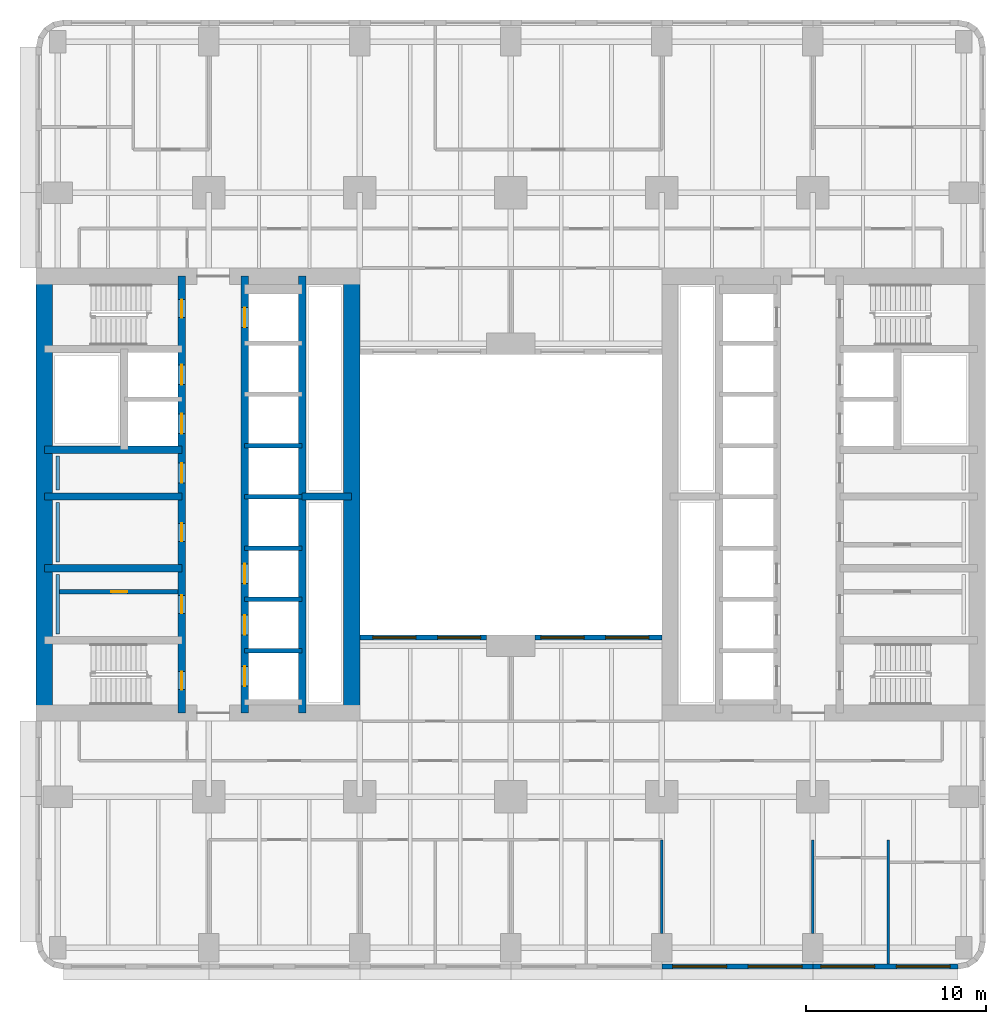
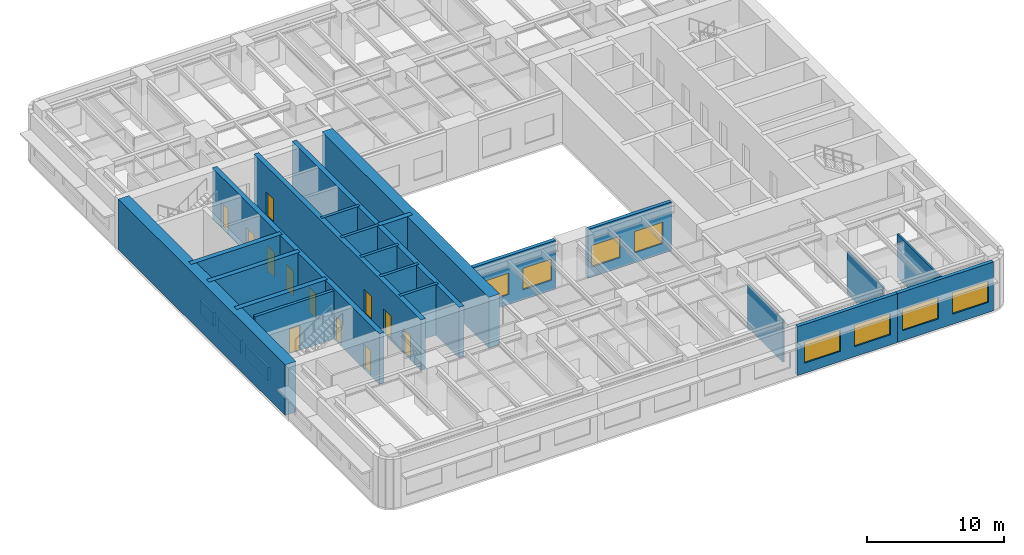
# One storey, part 4 of 14: 25 walls, 12 doors, 8 windows, 20 openings.
"""IFC4 building model written with IfcOpenShell, lengths in metres."""

from ifc_helpers import new_model, si_unit, direction, frame, frame_2d, origin, place, context, subcontext, project, spatial, rectangle, extrude, material, layer, layer_set, type_object, element, fill, save


model = new_model("IFC4")

# Units and contexts
model_context = context("Model", 3, precision=1e-05, world=origin(), true_north=direction((0.0, 1.0)))
body_context = subcontext(model_context, "Body", "Model", "MODEL_VIEW")
ifc_project = project(units=[si_unit("LENGTHUNIT", "METRE"), si_unit("AREAUNIT", "SQUARE_METRE"), si_unit("VOLUMEUNIT", "CUBIC_METRE"), si_unit("PLANEANGLEUNIT", "RADIAN"), si_unit("MASSUNIT", "GRAM", prefix="KILO")], contexts=[model_context])

# Site, building, storey
site_placement = place(None, origin())
site = spatial("IfcSite", under=ifc_project, at=site_placement, CompositionType="ELEMENT")
building_placement = place(site_placement, origin())
building = spatial("IfcBuilding", under=site, at=building_placement, Name="Claustro Exchange Tower", CompositionType="ELEMENT")
storey_placement = place(building_placement, frame((0.0, 0.0, 54.89990234375)))
storey = spatial("IfcBuildingStorey", under=building, at=storey_placement, Name="L12", CompositionType="ELEMENT", Elevation=54.89990234375)

# Walls
ifc_material_1 = material(Name="Gypsum board on steel studs", Category="steel")
ifc_layer_1 = layer(ifc_material_1, 0.14990234375)
ifc_layer_set_1 = layer_set([ifc_layer_1], Name="Gypsum board on steel studs")
wall_type_1 = type_object("IfcWallType", Name="P1 150 plasterboard partition", PredefinedType="PARTITIONING", material=ifc_layer_set_1)
for number, where, z_axis, x_axis, name in (
    (1, (33.60009765625, 0.799072265625, 0.0), (0.0, 0.0, 1.0), (0.0, 1.0, 0.0), "Partition P1 L12"),
    (2, (42.0, 0.799072265625, 0.0), (0.0, 0.0, 1.0), (0.0, 1.0, 0.0), "Partition P1 L12"),
):
    element("IfcWall", number, at=place(storey_placement, frame(where, z_axis=z_axis, x_axis=x_axis)), inside=storey, type_object=wall_type_1, Name=name, PredefinedType="PARTITIONING", context=body_context, shape_type="SweptSolid", body=[
        extrude(rectangle(XDim=5.200927734375, YDim=0.14990234375, at=frame_2d((2.6005859375, 0.0))), origin(), (0.0, 0.0, 1.0), 3.739990234375),
    ])
wall_1_placement = place(storey_placement, frame((46.199951171875, -0.902099609375, 0.0), z_axis=(0.0, 0.0, 1.0), x_axis=(0.0, 1.0, 0.0)))
element("IfcWall", 3, at=wall_1_placement, inside=storey, type_object=wall_type_1, Name="Partition P1 L12", PredefinedType="PARTITIONING", context=body_context, shape_type="SweptSolid", body=[
    extrude(rectangle(XDim=6.902099609375, YDim=0.14990234375, at=frame_2d((3.451171875, 0.0))), origin(), (0.0, 0.0, 1.0), 3.840087890625),
])

# Wall, opening, door
ifc_material_2 = material(Name="Concrete blockwork, rendered", Category="masonry")
ifc_layer_2 = layer(ifc_material_2, 0.25)
ifc_layer_set_2 = layer_set([ifc_layer_2], Name="Concrete blockwork, rendered")
wall_type_2 = type_object("IfcWallType", Name="P4 250 blockwork wall", PredefinedType="PARTITIONING", material=ifc_layer_set_2)
wall_2_placement = place(storey_placement, frame((0.10009765625, 19.800048828125, 0.0), z_axis=(0.0, 0.0, 1.0), x_axis=(1.0, 0.0, 0.0)))
wall_2 = element("IfcWall", 4, at=wall_2_placement, inside=storey, type_object=wall_type_2, Name="Partition P4 L12", PredefinedType="PARTITIONING", context=body_context, shape_type="SweptSolid", body=[
    extrude(rectangle(XDim=6.599853515625, YDim=0.25, at=frame_2d((3.2998046875, 0.0))), origin(), (0.0, 0.0, 1.0), 4.300048828125),
])
opening_1_placement = place(wall_2_placement, frame((2.875, 0.0, 0.0)))
opening_1 = element("IfcOpeningElement", 5, at=opening_1_placement, cuts=wall_2, Name="Opening D5", PredefinedType="OPENING", context=body_context, shape_type="SweptSolid", body=[
    extrude(rectangle(XDim=0.89990234375, YDim=2.199951171875, at=frame_2d((0.449951171875, 1.10009765625))), frame((0.0, 0.135009765625, 0.0), z_axis=(0.0, -1.0, 0.0), x_axis=(1.0, 0.0, 0.0)), (0.0, 0.0, 1.0), 0.27001953125),
])
ifc_material_3 = material(Name="Steel door, painted", Category="steel")
door_type_1 = type_object("IfcDoorType", Name="D5 900 x 2200 store door", OperationType="SINGLE_SWING_LEFT", PredefinedType="DOOR", material=ifc_material_3)
door_1_placement = place(opening_1_placement, origin())
door_1 = element("IfcDoor", 6, at=door_1_placement, inside=storey, type_object=door_type_1, Name="Store door D5 L12", OperationType="SINGLE_SWING_LEFT", OverallHeight=2.199951171875, OverallWidth=0.89990234375, PredefinedType="DOOR", context=body_context, shape_type="SweptSolid", body=[
    extrude(rectangle(XDim=0.89990234375, YDim=2.199951171875, at=frame_2d((0.449951171875, 1.10009765625))), frame((0.0, 0.02490234375, 0.0), z_axis=(0.0, -1.0, 0.0), x_axis=(1.0, 0.0, 0.0)), (0.0, 0.0, 1.0), 0.050048828125),
])
fill(opening_1, door_1)

# Wall, openings, windows
ifc_material_4 = material(Name="Concrete HA-40 (C40/50), precast, white cement, acid-etched", Category="concrete")
ifc_layer_3 = layer(ifc_material_4, 0.300048828125)
ifc_layer_set_3 = layer_set([ifc_layer_3], Name="Concrete HA-40 (C40/50), precast, white cement, acid-etched")
wall_type_3 = type_object("IfcWallType", Name="PC1 300 precast concrete pier panel", PredefinedType="SOLIDWALL", material=ifc_layer_set_3)
wall_3_placement = place(storey_placement, frame((50.085205078125, -1.050048828125, 0.0), z_axis=(0.0, 0.0, 1.0), x_axis=(-1.0, 0.0, 0.0)))
wall_3 = element("IfcWall", 7, at=wall_3_placement, inside=storey, type_object=wall_type_3, Name="Precast pier panel PC1 L12", PredefinedType="SOLIDWALL", context=body_context, shape_type="SweptSolid", body=[
    extrude(rectangle(XDim=8.085205078125, YDim=0.300048828125, at=frame_2d((4.04248046875, 0.0))), origin(), (0.0, 0.0, 1.0), 4.340087890625),
])
opening_2_placement = place(wall_3_placement, frame((0.442626953125, 0.0, 0.89990234375)))
opening_2 = element("IfcOpeningElement", 8, at=opening_2_placement, cuts=wall_3, Name="Opening W1", PredefinedType="OPENING", context=body_context, shape_type="SweptSolid", body=[
    extrude(rectangle(XDim=3.0, YDim=1.89990234375, at=frame_2d((1.5, 0.949951171875))), frame((0.0, 0.159912109375, 0.0), z_axis=(0.0, -1.0, 0.0), x_axis=(1.0, 0.0, 0.0)), (0.0, 0.0, 1.0), 0.320068359375),
])
opening_3_placement = place(wall_3_placement, frame((4.642578125, 0.0, 0.89990234375)))
opening_3 = element("IfcOpeningElement", 9, at=opening_3_placement, cuts=wall_3, Name="Opening W1", PredefinedType="OPENING", context=body_context, shape_type="SweptSolid", body=[
    extrude(rectangle(XDim=3.0, YDim=1.89990234375, at=frame_2d((1.5, 0.949951171875))), frame((0.0, 0.159912109375, 0.0), z_axis=(0.0, -1.0, 0.0), x_axis=(1.0, 0.0, 0.0)), (0.0, 0.0, 1.0), 0.320068359375),
])
ifc_material_5 = material(Name="Aluminium frame, clear double glazing", Category="aluminium")
window_type_1 = type_object("IfcWindowType", Name="W1 3000 x 1900 window", PartitioningType="SINGLE_PANEL", PredefinedType="WINDOW", material=ifc_material_5)
window_1_placement = place(opening_2_placement, origin())
window_1 = element("IfcWindow", 10, at=window_1_placement, inside=storey, type_object=window_type_1, Name="Window W1 L12", OverallHeight=1.89990234375, OverallWidth=3.0, PartitioningType="SINGLE_PANEL", PredefinedType="WINDOW", context=body_context, shape_type="SweptSolid", body=[
    extrude(rectangle(XDim=3.0, YDim=1.89990234375, at=frame_2d((1.5, 0.949951171875))), frame((0.0, 0.030029296875, 0.0), z_axis=(0.0, -1.0, 0.0), x_axis=(1.0, 0.0, 0.0)), (0.0, 0.0, 1.0), 0.06005859375),
])
fill(opening_2, window_1)
window_2_placement = place(opening_3_placement, origin())
window_2 = element("IfcWindow", 11, at=window_2_placement, inside=storey, type_object=window_type_1, Name="Window W1 L12", OverallHeight=1.89990234375, OverallWidth=3.0, PartitioningType="SINGLE_PANEL", PredefinedType="WINDOW", context=body_context, shape_type="SweptSolid", body=[
    extrude(rectangle(XDim=3.0, YDim=1.89990234375, at=frame_2d((1.5, 0.949951171875))), frame((0.0, 0.030029296875, 0.0), z_axis=(0.0, -1.0, 0.0), x_axis=(1.0, 0.0, 0.0)), (0.0, 0.0, 1.0), 0.06005859375),
])
fill(opening_3, window_2)

wall_4_placement = place(storey_placement, frame((42.0, -1.050048828125, 0.0), z_axis=(0.0, 0.0, 1.0), x_axis=(-1.0, 0.0, 0.0)))
wall_4 = element("IfcWall", 12, at=wall_4_placement, inside=storey, type_object=wall_type_3, Name="Precast pier panel PC1 L12", PredefinedType="SOLIDWALL", context=body_context, shape_type="SweptSolid", body=[
    extrude(rectangle(XDim=8.39990234375, YDim=0.300048828125, at=frame_2d((4.199951171875, 0.0))), origin(), (0.0, 0.0, 1.0), 4.340087890625),
])
opening_4_placement = place(wall_4_placement, frame((0.60009765625, 0.0, 0.89990234375)))
opening_4 = element("IfcOpeningElement", 13, at=opening_4_placement, cuts=wall_4, Name="Opening W1", PredefinedType="OPENING", context=body_context, shape_type="SweptSolid", body=[
    extrude(rectangle(XDim=3.0, YDim=1.89990234375, at=frame_2d((1.5, 0.949951171875))), frame((0.0, 0.159912109375, 0.0), z_axis=(0.0, -1.0, 0.0), x_axis=(1.0, 0.0, 0.0)), (0.0, 0.0, 1.0), 0.320068359375),
])
opening_5_placement = place(wall_4_placement, frame((4.800048828125, 0.0, 0.89990234375)))
opening_5 = element("IfcOpeningElement", 14, at=opening_5_placement, cuts=wall_4, Name="Opening W1", PredefinedType="OPENING", context=body_context, shape_type="SweptSolid", body=[
    extrude(rectangle(XDim=3.0, YDim=1.89990234375, at=frame_2d((1.5, 0.949951171875))), frame((0.0, 0.159912109375, 0.0), z_axis=(0.0, -1.0, 0.0), x_axis=(1.0, 0.0, 0.0)), (0.0, 0.0, 1.0), 0.320068359375),
])
window_3_placement = place(opening_4_placement, origin())
window_3 = element("IfcWindow", 15, at=window_3_placement, inside=storey, type_object=window_type_1, Name="Window W1 L12", OverallHeight=1.89990234375, OverallWidth=3.0, PartitioningType="SINGLE_PANEL", PredefinedType="WINDOW", context=body_context, shape_type="SweptSolid", body=[
    extrude(rectangle(XDim=3.0, YDim=1.89990234375, at=frame_2d((1.5, 0.949951171875))), frame((0.0, 0.030029296875, 0.0), z_axis=(0.0, -1.0, 0.0), x_axis=(1.0, 0.0, 0.0)), (0.0, 0.0, 1.0), 0.06005859375),
])
fill(opening_4, window_3)
window_4_placement = place(opening_5_placement, origin())
window_4 = element("IfcWindow", 16, at=window_4_placement, inside=storey, type_object=window_type_1, Name="Window W1 L12", OverallHeight=1.89990234375, OverallWidth=3.0, PartitioningType="SINGLE_PANEL", PredefinedType="WINDOW", context=body_context, shape_type="SweptSolid", body=[
    extrude(rectangle(XDim=3.0, YDim=1.89990234375, at=frame_2d((1.5, 0.949951171875))), frame((0.0, 0.030029296875, 0.0), z_axis=(0.0, -1.0, 0.0), x_axis=(1.0, 0.0, 0.0)), (0.0, 0.0, 1.0), 0.06005859375),
])
fill(opening_5, window_4)

wall_5_placement = place(storey_placement, frame((16.800048828125, 17.25, 0.0), z_axis=(0.0, 0.0, 1.0), x_axis=(1.0, 0.0, 0.0)))
wall_5 = element("IfcWall", 17, at=wall_5_placement, inside=storey, type_object=wall_type_3, Name="Precast pier panel PC1 L12", PredefinedType="SOLIDWALL", context=body_context, shape_type="SweptSolid", body=[
    extrude(rectangle(XDim=7.050048828125, YDim=0.300048828125, at=frame_2d((3.52490234375, 0.0))), origin(), (0.0, 0.0, 1.0), 4.340087890625),
])
opening_6_placement = place(wall_5_placement, frame((0.72509765625, 0.0, 0.89990234375)))
opening_6 = element("IfcOpeningElement", 18, at=opening_6_placement, cuts=wall_5, Name="Opening W2", PredefinedType="OPENING", context=body_context, shape_type="SweptSolid", body=[
    extrude(rectangle(XDim=2.39990234375, YDim=1.89990234375, at=frame_2d((1.199951171875, 0.949951171875))), frame((0.0, 0.159912109375, 0.0), z_axis=(0.0, -1.0, 0.0), x_axis=(1.0, 0.0, 0.0)), (0.0, 0.0, 1.0), 0.320068359375),
])
opening_7_placement = place(wall_5_placement, frame((4.324951171875, 0.0, 0.89990234375)))
opening_7 = element("IfcOpeningElement", 19, at=opening_7_placement, cuts=wall_5, Name="Opening W2", PredefinedType="OPENING", context=body_context, shape_type="SweptSolid", body=[
    extrude(rectangle(XDim=2.39990234375, YDim=1.89990234375, at=frame_2d((1.199951171875, 0.949951171875))), frame((0.0, 0.159912109375, 0.0), z_axis=(0.0, -1.0, 0.0), x_axis=(1.0, 0.0, 0.0)), (0.0, 0.0, 1.0), 0.320068359375),
])
ifc_material_6 = material(Name="Aluminium frame, clear double glazing", Category="aluminium")
window_type_2 = type_object("IfcWindowType", Name="W2 2400 x 1900 window", PartitioningType="SINGLE_PANEL", PredefinedType="WINDOW", material=ifc_material_6)
window_5_placement = place(opening_6_placement, origin())
window_5 = element("IfcWindow", 20, at=window_5_placement, inside=storey, type_object=window_type_2, Name="Window W2 L12", OverallHeight=1.89990234375, OverallWidth=2.39990234375, PartitioningType="SINGLE_PANEL", PredefinedType="WINDOW", context=body_context, shape_type="SweptSolid", body=[
    extrude(rectangle(XDim=2.39990234375, YDim=1.89990234375, at=frame_2d((1.199951171875, 0.949951171875))), frame((0.0, 0.030029296875, 0.0), z_axis=(0.0, -1.0, 0.0), x_axis=(1.0, 0.0, 0.0)), (0.0, 0.0, 1.0), 0.06005859375),
])
fill(opening_6, window_5)
window_6_placement = place(opening_7_placement, origin())
window_6 = element("IfcWindow", 21, at=window_6_placement, inside=storey, type_object=window_type_2, Name="Window W2 L12", OverallHeight=1.89990234375, OverallWidth=2.39990234375, PartitioningType="SINGLE_PANEL", PredefinedType="WINDOW", context=body_context, shape_type="SweptSolid", body=[
    extrude(rectangle(XDim=2.39990234375, YDim=1.89990234375, at=frame_2d((1.199951171875, 0.949951171875))), frame((0.0, 0.030029296875, 0.0), z_axis=(0.0, -1.0, 0.0), x_axis=(1.0, 0.0, 0.0)), (0.0, 0.0, 1.0), 0.06005859375),
])
fill(opening_7, window_6)

wall_6_placement = place(storey_placement, frame((26.550048828125, 17.25, 0.0), z_axis=(0.0, 0.0, 1.0), x_axis=(1.0, 0.0, 0.0)))
wall_6 = element("IfcWall", 22, at=wall_6_placement, inside=storey, type_object=wall_type_3, Name="Precast pier panel PC1 L12", PredefinedType="SOLIDWALL", context=body_context, shape_type="SweptSolid", body=[
    extrude(rectangle(XDim=7.050048828125, YDim=0.300048828125, at=frame_2d((3.52490234375, 0.0))), origin(), (0.0, 0.0, 1.0), 4.340087890625),
])
opening_8_placement = place(wall_6_placement, frame((0.324951171875, 0.0, 0.89990234375)))
opening_8 = element("IfcOpeningElement", 23, at=opening_8_placement, cuts=wall_6, Name="Opening W2", PredefinedType="OPENING", context=body_context, shape_type="SweptSolid", body=[
    extrude(rectangle(XDim=2.39990234375, YDim=1.89990234375, at=frame_2d((1.199951171875, 0.949951171875))), frame((0.0, 0.159912109375, 0.0), z_axis=(0.0, -1.0, 0.0), x_axis=(1.0, 0.0, 0.0)), (0.0, 0.0, 1.0), 0.320068359375),
])
opening_9_placement = place(wall_6_placement, frame((3.925048828125, 0.0, 0.89990234375)))
opening_9 = element("IfcOpeningElement", 24, at=opening_9_placement, cuts=wall_6, Name="Opening W2", PredefinedType="OPENING", context=body_context, shape_type="SweptSolid", body=[
    extrude(rectangle(XDim=2.39990234375, YDim=1.89990234375, at=frame_2d((1.199951171875, 0.949951171875))), frame((0.0, 0.159912109375, 0.0), z_axis=(0.0, -1.0, 0.0), x_axis=(1.0, 0.0, 0.0)), (0.0, 0.0, 1.0), 0.320068359375),
])
window_7_placement = place(opening_8_placement, origin())
window_7 = element("IfcWindow", 25, at=window_7_placement, inside=storey, type_object=window_type_2, Name="Window W2 L12", OverallHeight=1.89990234375, OverallWidth=2.39990234375, PartitioningType="SINGLE_PANEL", PredefinedType="WINDOW", context=body_context, shape_type="SweptSolid", body=[
    extrude(rectangle(XDim=2.39990234375, YDim=1.89990234375, at=frame_2d((1.199951171875, 0.949951171875))), frame((0.0, 0.030029296875, 0.0), z_axis=(0.0, -1.0, 0.0), x_axis=(1.0, 0.0, 0.0)), (0.0, 0.0, 1.0), 0.06005859375),
])
fill(opening_8, window_7)
window_8_placement = place(opening_9_placement, origin())
window_8 = element("IfcWindow", 26, at=window_8_placement, inside=storey, type_object=window_type_2, Name="Window W2 L12", OverallHeight=1.89990234375, OverallWidth=2.39990234375, PartitioningType="SINGLE_PANEL", PredefinedType="WINDOW", context=body_context, shape_type="SweptSolid", body=[
    extrude(rectangle(XDim=2.39990234375, YDim=1.89990234375, at=frame_2d((1.199951171875, 0.949951171875))), frame((0.0, 0.030029296875, 0.0), z_axis=(0.0, -1.0, 0.0), x_axis=(1.0, 0.0, 0.0)), (0.0, 0.0, 1.0), 0.06005859375),
])
fill(opening_9, window_8)

# Walls
ifc_material_7 = material(Name="Gypsum board on steel studs, tiled", Category="steel")
ifc_layer_4 = layer(ifc_material_7, 0.199951171875)
ifc_layer_set_4 = layer_set([ifc_layer_4], Name="Gypsum board on steel studs, tiled")
wall_type_4 = type_object("IfcWallType", Name="PW1 200 WC duct wall", PredefinedType="PLUMBINGWALL", material=ifc_layer_set_4)
for number, where, z_axis, x_axis, name in (
    (27, (0.0, 17.449951171875, 0.0), (0.0, 0.0, 1.0), (0.0, 1.0, 0.0), "WC duct wall PW1 L12"),
    (28, (0.0, 21.449951171875, 0.0), (0.0, 0.0, 1.0), (0.0, 1.0, 0.0), "WC duct wall PW1 L12"),
):
    element("IfcWall", number, at=place(storey_placement, frame(where, z_axis=z_axis, x_axis=x_axis)), inside=storey, type_object=wall_type_4, Name=name, PredefinedType="PLUMBINGWALL", context=body_context, shape_type="SweptSolid", body=[
        extrude(rectangle(XDim=3.300048828125, YDim=0.199951171875, at=frame_2d((1.64990234375, 0.0))), origin(), (0.0, 0.0, 1.0), 1.2001953125),
    ])
wall_7_placement = place(storey_placement, frame((0.0, 25.449951171875, 0.0), z_axis=(0.0, 0.0, 1.0), x_axis=(0.0, 1.0, 0.0)))
element("IfcWall", 29, at=wall_7_placement, inside=storey, type_object=wall_type_4, Name="WC duct wall PW1 L12", PredefinedType="PLUMBINGWALL", context=body_context, shape_type="SweptSolid", body=[
    extrude(rectangle(XDim=1.900146484375, YDim=0.199951171875, at=frame_2d((0.9501953125, 0.0))), origin(), (0.0, 0.0, 1.0), 1.2001953125),
])
ifc_material_8 = material(Name="Concrete HA-70 (C70/85)", Category="concrete")
ifc_layer_5 = layer(ifc_material_8, 0.89990234375)
ifc_layer_set_5 = layer_set([ifc_layer_5], Name="Concrete HA-70 (C70/85)")
wall_type_5 = type_object("IfcWallType", Name="SW1X 900 exposed core shear wall, board-marked face", PredefinedType="SHEAR", material=ifc_layer_set_5)
for number, where, z_axis, x_axis, name in (
    (30, (-0.75, 13.050048828125, 0.0), (0.0, 0.0, 1.0), (0.0, 1.0, 0.0), "Core wall SW1X W core W face L12"),
    (31, (16.35009765625, 13.050048828125, 0.0), (0.0, 0.0, 1.0), (0.0, 1.0, 0.0), "Core wall SW1X W core E face L12"),
):
    element("IfcWall", number, at=place(storey_placement, frame(where, z_axis=z_axis, x_axis=x_axis)), inside=storey, type_object=wall_type_5, Name=name, PredefinedType="SHEAR", context=body_context, shape_type="SweptSolid", body=[
        extrude(rectangle(XDim=24.300048828125, YDim=0.89990234375, at=frame_2d((12.14990234375, 0.0))), origin(), (0.0, 0.0, 1.0), 4.5),
    ])

# Wall, openings, doors
ifc_material_9 = material(Name="Concrete HA-50 (C50/60)", Category="concrete")
ifc_layer_6 = layer(ifc_material_9, 0.39990234375)
ifc_layer_set_6 = layer_set([ifc_layer_6], Name="Concrete HA-50 (C50/60)")
wall_type_6 = type_object("IfcWallType", Name="SW4 400 internal core wall", PredefinedType="SHEAR", material=ifc_layer_set_6)
wall_8_placement = place(storey_placement, frame((6.89990234375, 13.050048828125, 0.0), z_axis=(0.0, 0.0, 1.0), x_axis=(0.0, 1.0, 0.0)))
wall_8 = element("IfcWall", 32, at=wall_8_placement, inside=storey, type_object=wall_type_6, Name="Internal core wall SW4 W core L12", PredefinedType="SHEAR", context=body_context, shape_type="SweptSolid", body=[
    extrude(rectangle(XDim=24.300048828125, YDim=0.39990234375, at=frame_2d((12.14990234375, 0.0))), origin(), (0.0, 0.0, 1.0), 4.5),
])
opening_10_placement = place(wall_8_placement, frame((1.300048828125, 0.0, 0.0)))
opening_10 = element("IfcOpeningElement", 33, at=opening_10_placement, cuts=wall_8, Name="Opening D4", PredefinedType="OPENING", context=body_context, shape_type="SweptSolid", body=[
    extrude(rectangle(XDim=1.0, YDim=2.199951171875, at=frame_2d((0.5, 1.10009765625))), frame((0.0, 0.2099609375, 0.0), z_axis=(0.0, -1.0, 0.0), x_axis=(1.0, 0.0, 0.0)), (0.0, 0.0, 1.0), 0.419921875),
])
opening_11_placement = place(wall_8_placement, frame((22.0, 0.0, 0.0)))
opening_11 = element("IfcOpeningElement", 34, at=opening_11_placement, cuts=wall_8, Name="Opening D4", PredefinedType="OPENING", context=body_context, shape_type="SweptSolid", body=[
    extrude(rectangle(XDim=1.0, YDim=2.199951171875, at=frame_2d((0.5, 1.10009765625))), frame((0.0, 0.2099609375, 0.0), z_axis=(0.0, -1.0, 0.0), x_axis=(1.0, 0.0, 0.0)), (0.0, 0.0, 1.0), 0.419921875),
])
opening_12_placement = place(wall_8_placement, frame((5.550048828125, 0.0, 0.0)))
opening_12 = element("IfcOpeningElement", 35, at=opening_12_placement, cuts=wall_8, Name="Opening D1", PredefinedType="OPENING", context=body_context, shape_type="SweptSolid", body=[
    extrude(rectangle(XDim=1.0, YDim=2.199951171875, at=frame_2d((0.5, 1.10009765625))), frame((0.0, 0.2099609375, 0.0), z_axis=(0.0, -1.0, 0.0), x_axis=(1.0, 0.0, 0.0)), (0.0, 0.0, 1.0), 0.419921875),
])
opening_13_placement = place(wall_8_placement, frame((9.550048828125, 0.0, 0.0)))
opening_13 = element("IfcOpeningElement", 36, at=opening_13_placement, cuts=wall_8, Name="Opening D1", PredefinedType="OPENING", context=body_context, shape_type="SweptSolid", body=[
    extrude(rectangle(XDim=1.0, YDim=2.199951171875, at=frame_2d((0.5, 1.10009765625))), frame((0.0, 0.2099609375, 0.0), z_axis=(0.0, -1.0, 0.0), x_axis=(1.0, 0.0, 0.0)), (0.0, 0.0, 1.0), 0.419921875),
])
opening_14_placement = place(wall_8_placement, frame((12.800048828125, 0.0, 0.0)))
opening_14 = element("IfcOpeningElement", 37, at=opening_14_placement, cuts=wall_8, Name="Opening D10", PredefinedType="OPENING", context=body_context, shape_type="SweptSolid", body=[
    extrude(rectangle(XDim=1.10009765625, YDim=2.199951171875, at=frame_2d((0.550048828125, 1.10009765625))), frame((0.0, 0.2099609375, 0.0), z_axis=(0.0, -1.0, 0.0), x_axis=(1.0, 0.0, 0.0)), (0.0, 0.0, 1.0), 0.419921875),
])
opening_15_placement = place(wall_8_placement, frame((15.53759765625, 0.0, 0.0)))
opening_15 = element("IfcOpeningElement", 38, at=opening_15_placement, cuts=wall_8, Name="Opening LD", PredefinedType="OPENING", context=body_context, shape_type="SweptSolid", body=[
    extrude(rectangle(XDim=1.10009765625, YDim=2.199951171875, at=frame_2d((0.550048828125, 1.10009765625))), frame((0.0, 0.2099609375, 0.0), z_axis=(0.0, -1.0, 0.0), x_axis=(1.0, 0.0, 0.0)), (0.0, 0.0, 1.0), 0.419921875),
])
opening_16_placement = place(wall_8_placement, frame((18.262451171875, 0.0, 0.0)))
opening_16 = element("IfcOpeningElement", 39, at=opening_16_placement, cuts=wall_8, Name="Opening LD", PredefinedType="OPENING", context=body_context, shape_type="SweptSolid", body=[
    extrude(rectangle(XDim=1.10009765625, YDim=2.199951171875, at=frame_2d((0.550048828125, 1.10009765625))), frame((0.0, 0.2099609375, 0.0), z_axis=(0.0, -1.0, 0.0), x_axis=(1.0, 0.0, 0.0)), (0.0, 0.0, 1.0), 0.419921875),
])
ifc_material_10 = material(Name="Timber door, oak veneer", Category="wood")
door_type_2 = type_object("IfcDoorType", Name="D1 1000 x 2200 single door", OperationType="SINGLE_SWING_LEFT", PredefinedType="DOOR", material=ifc_material_10)
door_2_placement = place(opening_12_placement, origin())
door_2 = element("IfcDoor", 40, at=door_2_placement, inside=storey, type_object=door_type_2, Name="Door D1 L12", OperationType="SINGLE_SWING_RIGHT", OverallHeight=2.199951171875, OverallWidth=1.0, PredefinedType="DOOR", context=body_context, shape_type="SweptSolid", body=[
    extrude(rectangle(XDim=1.0, YDim=2.199951171875, at=frame_2d((0.5, 1.10009765625))), frame((0.0, 0.02490234375, 0.0), z_axis=(0.0, -1.0, 0.0), x_axis=(1.0, 0.0, 0.0)), (0.0, 0.0, 1.0), 0.050048828125),
])
fill(opening_12, door_2)
door_3_placement = place(opening_13_placement, origin())
door_3 = element("IfcDoor", 41, at=door_3_placement, inside=storey, type_object=door_type_2, Name="Door D1 L12", OperationType="SINGLE_SWING_RIGHT", OverallHeight=2.199951171875, OverallWidth=1.0, PredefinedType="DOOR", context=body_context, shape_type="SweptSolid", body=[
    extrude(rectangle(XDim=1.0, YDim=2.199951171875, at=frame_2d((0.5, 1.10009765625))), frame((0.0, 0.02490234375, 0.0), z_axis=(0.0, -1.0, 0.0), x_axis=(1.0, 0.0, 0.0)), (0.0, 0.0, 1.0), 0.050048828125),
])
fill(opening_13, door_3)
ifc_material_11 = material(Name="Timber door, oak veneer", Category="wood")
door_type_3 = type_object("IfcDoorType", Name="D10 1100 x 2200 accessible WC door", OperationType="SINGLE_SWING_LEFT", PredefinedType="DOOR", material=ifc_material_11)
door_4_placement = place(opening_14_placement, frame((1.10009765625, 0.0, 0.0), z_axis=(0.0, 0.0, 1.0), x_axis=(-1.0, 0.0, 0.0)))
door_4 = element("IfcDoor", 42, at=door_4_placement, inside=storey, type_object=door_type_3, Name="Accessible WC door D10 L12", OperationType="SINGLE_SWING_LEFT", OverallHeight=2.199951171875, OverallWidth=1.10009765625, PredefinedType="DOOR", context=body_context, shape_type="SweptSolid", body=[
    extrude(rectangle(XDim=1.10009765625, YDim=2.199951171875, at=frame_2d((0.550048828125, 1.10009765625))), frame((0.0, 0.02490234375, 0.0), z_axis=(0.0, -1.0, 0.0), x_axis=(1.0, 0.0, 0.0)), (0.0, 0.0, 1.0), 0.050048828125),
])
fill(opening_14, door_4)
ifc_material_12 = material(Name="Steel fire door, painted", Category="steel")
door_type_4 = type_object("IfcDoorType", Name="D4 1000 x 2200 fire-rated stair door", OperationType="SINGLE_SWING_LEFT", PredefinedType="DOOR", material=ifc_material_12)
door_5_placement = place(opening_10_placement, origin())
door_5 = element("IfcDoor", 43, at=door_5_placement, inside=storey, type_object=door_type_4, Name="Stair door D4 L12", OperationType="SINGLE_SWING_LEFT", OverallHeight=2.199951171875, OverallWidth=1.0, PredefinedType="DOOR", context=body_context, shape_type="SweptSolid", body=[
    extrude(rectangle(XDim=1.0, YDim=2.199951171875, at=frame_2d((0.5, 1.10009765625))), frame((0.0, 0.02490234375, 0.0), z_axis=(0.0, -1.0, 0.0), x_axis=(1.0, 0.0, 0.0)), (0.0, 0.0, 1.0), 0.050048828125),
])
fill(opening_10, door_5)
door_6_placement = place(opening_11_placement, origin())
door_6 = element("IfcDoor", 44, at=door_6_placement, inside=storey, type_object=door_type_4, Name="Stair door D4 L12", OperationType="SINGLE_SWING_RIGHT", OverallHeight=2.199951171875, OverallWidth=1.0, PredefinedType="DOOR", context=body_context, shape_type="SweptSolid", body=[
    extrude(rectangle(XDim=1.0, YDim=2.199951171875, at=frame_2d((0.5, 1.10009765625))), frame((0.0, 0.02490234375, 0.0), z_axis=(0.0, -1.0, 0.0), x_axis=(1.0, 0.0, 0.0)), (0.0, 0.0, 1.0), 0.050048828125),
])
fill(opening_11, door_6)
ifc_material_13 = material(Name="Stainless steel sliding door", Category="steel")
door_type_5 = type_object("IfcDoorType", Name="LD 1100 x 2200 lift landing door", OperationType="DOUBLE_DOOR_SLIDING", PredefinedType="DOOR", material=ifc_material_13)
door_7_placement = place(opening_15_placement, origin())
door_7 = element("IfcDoor", 45, at=door_7_placement, inside=storey, type_object=door_type_5, Name="Lift landing door LEW1 LD L12", OperationType="DOUBLE_DOOR_SLIDING", OverallHeight=2.199951171875, OverallWidth=1.10009765625, PredefinedType="DOOR", context=body_context, shape_type="SweptSolid", body=[
    extrude(rectangle(XDim=1.10009765625, YDim=2.199951171875, at=frame_2d((0.550048828125, 1.10009765625))), frame((0.0, 0.02490234375, 0.0), z_axis=(0.0, -1.0, 0.0), x_axis=(1.0, 0.0, 0.0)), (0.0, 0.0, 1.0), 0.050048828125),
])
fill(opening_15, door_7)
door_8_placement = place(opening_16_placement, origin())
door_8 = element("IfcDoor", 46, at=door_8_placement, inside=storey, type_object=door_type_5, Name="Lift landing door LEW2 LD L12", OperationType="DOUBLE_DOOR_SLIDING", OverallHeight=2.199951171875, OverallWidth=1.10009765625, PredefinedType="DOOR", context=body_context, shape_type="SweptSolid", body=[
    extrude(rectangle(XDim=1.10009765625, YDim=2.199951171875, at=frame_2d((0.550048828125, 1.10009765625))), frame((0.0, 0.02490234375, 0.0), z_axis=(0.0, -1.0, 0.0), x_axis=(1.0, 0.0, 0.0)), (0.0, 0.0, 1.0), 0.050048828125),
])
fill(opening_16, door_8)

wall_9_placement = place(storey_placement, frame((10.39990234375, 13.050048828125, 0.0), z_axis=(0.0, 0.0, 1.0), x_axis=(0.0, 1.0, 0.0)))
wall_9 = element("IfcWall", 47, at=wall_9_placement, inside=storey, type_object=wall_type_6, Name="Internal core wall SW4 W core L12", PredefinedType="SHEAR", context=body_context, shape_type="SweptSolid", body=[
    extrude(rectangle(XDim=24.300048828125, YDim=0.39990234375, at=frame_2d((12.14990234375, 0.0))), origin(), (0.0, 0.0, 1.0), 4.5),
])
opening_17_placement = place(wall_9_placement, frame((1.5, 0.0, 0.0)))
opening_17 = element("IfcOpeningElement", 48, at=opening_17_placement, cuts=wall_9, Name="Opening LD", PredefinedType="OPENING", context=body_context, shape_type="SweptSolid", body=[
    extrude(rectangle(XDim=1.10009765625, YDim=2.199951171875, at=frame_2d((0.550048828125, 1.10009765625))), frame((0.0, 0.2099609375, 0.0), z_axis=(0.0, -1.0, 0.0), x_axis=(1.0, 0.0, 0.0)), (0.0, 0.0, 1.0), 0.419921875),
])
opening_18_placement = place(wall_9_placement, frame((4.35009765625, 0.0, 0.0)))
opening_18 = element("IfcOpeningElement", 49, at=opening_18_placement, cuts=wall_9, Name="Opening LD", PredefinedType="OPENING", context=body_context, shape_type="SweptSolid", body=[
    extrude(rectangle(XDim=1.10009765625, YDim=2.199951171875, at=frame_2d((0.550048828125, 1.10009765625))), frame((0.0, 0.2099609375, 0.0), z_axis=(0.0, -1.0, 0.0), x_axis=(1.0, 0.0, 0.0)), (0.0, 0.0, 1.0), 0.419921875),
])
opening_19_placement = place(wall_9_placement, frame((7.199951171875, 0.0, 0.0)))
opening_19 = element("IfcOpeningElement", 50, at=opening_19_placement, cuts=wall_9, Name="Opening LD", PredefinedType="OPENING", context=body_context, shape_type="SweptSolid", body=[
    extrude(rectangle(XDim=1.10009765625, YDim=2.199951171875, at=frame_2d((0.550048828125, 1.10009765625))), frame((0.0, 0.2099609375, 0.0), z_axis=(0.0, -1.0, 0.0), x_axis=(1.0, 0.0, 0.0)), (0.0, 0.0, 1.0), 0.419921875),
])
opening_20_placement = place(wall_9_placement, frame((21.449951171875, 0.0, 0.0)))
opening_20 = element("IfcOpeningElement", 51, at=opening_20_placement, cuts=wall_9, Name="Opening LD", PredefinedType="OPENING", context=body_context, shape_type="SweptSolid", body=[
    extrude(rectangle(XDim=1.10009765625, YDim=2.199951171875, at=frame_2d((0.550048828125, 1.10009765625))), frame((0.0, 0.2099609375, 0.0), z_axis=(0.0, -1.0, 0.0), x_axis=(1.0, 0.0, 0.0)), (0.0, 0.0, 1.0), 0.419921875),
])
door_9_placement = place(opening_17_placement, origin())
door_9 = element("IfcDoor", 52, at=door_9_placement, inside=storey, type_object=door_type_5, Name="Lift landing door LLW1 LD L12", OperationType="DOUBLE_DOOR_SLIDING", OverallHeight=2.199951171875, OverallWidth=1.10009765625, PredefinedType="DOOR", context=body_context, shape_type="SweptSolid", body=[
    extrude(rectangle(XDim=1.10009765625, YDim=2.199951171875, at=frame_2d((0.550048828125, 1.10009765625))), frame((0.0, 0.02490234375, 0.0), z_axis=(0.0, -1.0, 0.0), x_axis=(1.0, 0.0, 0.0)), (0.0, 0.0, 1.0), 0.050048828125),
])
fill(opening_17, door_9)
door_10_placement = place(opening_18_placement, origin())
door_10 = element("IfcDoor", 53, at=door_10_placement, inside=storey, type_object=door_type_5, Name="Lift landing door LLW2 LD L12", OperationType="DOUBLE_DOOR_SLIDING", OverallHeight=2.199951171875, OverallWidth=1.10009765625, PredefinedType="DOOR", context=body_context, shape_type="SweptSolid", body=[
    extrude(rectangle(XDim=1.10009765625, YDim=2.199951171875, at=frame_2d((0.550048828125, 1.10009765625))), frame((0.0, 0.02490234375, 0.0), z_axis=(0.0, -1.0, 0.0), x_axis=(1.0, 0.0, 0.0)), (0.0, 0.0, 1.0), 0.050048828125),
])
fill(opening_18, door_10)
door_11_placement = place(opening_19_placement, origin())
door_11 = element("IfcDoor", 54, at=door_11_placement, inside=storey, type_object=door_type_5, Name="Lift landing door LLW3 LD L12", OperationType="DOUBLE_DOOR_SLIDING", OverallHeight=2.199951171875, OverallWidth=1.10009765625, PredefinedType="DOOR", context=body_context, shape_type="SweptSolid", body=[
    extrude(rectangle(XDim=1.10009765625, YDim=2.199951171875, at=frame_2d((0.550048828125, 1.10009765625))), frame((0.0, 0.02490234375, 0.0), z_axis=(0.0, -1.0, 0.0), x_axis=(1.0, 0.0, 0.0)), (0.0, 0.0, 1.0), 0.050048828125),
])
fill(opening_19, door_11)
door_12_placement = place(opening_20_placement, origin())
door_12 = element("IfcDoor", 55, at=door_12_placement, inside=storey, type_object=door_type_5, Name="Lift landing door LSW1 LD L12", OperationType="DOUBLE_DOOR_SLIDING", OverallHeight=2.199951171875, OverallWidth=1.10009765625, PredefinedType="DOOR", context=body_context, shape_type="SweptSolid", body=[
    extrude(rectangle(XDim=1.10009765625, YDim=2.199951171875, at=frame_2d((0.550048828125, 1.10009765625))), frame((0.0, 0.02490234375, 0.0), z_axis=(0.0, -1.0, 0.0), x_axis=(1.0, 0.0, 0.0)), (0.0, 0.0, 1.0), 0.050048828125),
])
fill(opening_20, door_12)

# Walls
wall_10_placement = place(storey_placement, frame((13.60009765625, 13.050048828125, 0.0), z_axis=(0.0, 0.0, 1.0), x_axis=(0.0, 1.0, 0.0)))
element("IfcWall", 56, at=wall_10_placement, inside=storey, type_object=wall_type_6, Name="Internal core wall SW4 W core L12", PredefinedType="SHEAR", context=body_context, shape_type="SweptSolid", body=[
    extrude(rectangle(XDim=24.300048828125, YDim=0.39990234375, at=frame_2d((12.14990234375, 0.0))), origin(), (0.0, 0.0, 1.0), 4.5),
])
for number, where, z_axis, x_axis, name in (
    (57, (-0.75, 21.10009765625, 0.0), (0.0, 0.0, 1.0), (1.0, 0.0, 0.0), "Internal core wall SW4 W core L12"),
    (58, (-0.75, 25.10009765625, 0.0), (0.0, 0.0, 1.0), (1.0, 0.0, 0.0), "Internal core wall SW4 W core L12"),
    (59, (-0.75, 27.699951171875, 0.0), (0.0, 0.0, 1.0), (1.0, 0.0, 0.0), "Internal core wall SW4 W core L12"),
):
    element("IfcWall", number, at=place(storey_placement, frame(where, z_axis=z_axis, x_axis=x_axis)), inside=storey, type_object=wall_type_6, Name=name, PredefinedType="SHEAR", context=body_context, shape_type="SweptSolid", body=[
        extrude(rectangle(XDim=7.64990234375, YDim=0.39990234375, at=frame_2d((3.824951171875, 0.0))), origin(), (0.0, 0.0, 1.0), 4.5),
    ])
wall_11_placement = place(storey_placement, frame((13.60009765625, 25.10009765625, 0.0), z_axis=(0.0, 0.0, 1.0), x_axis=(1.0, 0.0, 0.0)))
element("IfcWall", 60, at=wall_11_placement, inside=storey, type_object=wall_type_6, Name="Internal core wall SW4 W core L12", PredefinedType="SHEAR", context=body_context, shape_type="SweptSolid", body=[
    extrude(rectangle(XDim=2.75, YDim=0.39990234375, at=frame_2d((1.375, 0.0))), origin(), (0.0, 0.0, 1.0), 4.5),
])
ifc_material_14 = material(Name="Concrete HA-50 (C50/60)", Category="concrete")
ifc_layer_7 = layer(ifc_material_14, 0.25)
ifc_layer_set_7 = layer_set([ifc_layer_7], Name="Concrete HA-50 (C50/60)")
wall_type_7 = type_object("IfcWallType", Name="SW5 250 lift shaft divider wall", PredefinedType="SHEAR", material=ifc_layer_set_7)
for number, where, z_axis, x_axis, name in (
    (61, (10.39990234375, 16.52490234375, 0.0), (0.0, 0.0, 1.0), (1.0, 0.0, 0.0), "Lift shaft wall W core L12"),
    (62, (10.39990234375, 19.375, 0.0), (0.0, 0.0, 1.0), (1.0, 0.0, 0.0), "Lift shaft wall W core L12"),
    (63, (10.39990234375, 22.22509765625, 0.0), (0.0, 0.0, 1.0), (1.0, 0.0, 0.0), "Lift shaft wall W core L12"),
    (64, (10.39990234375, 25.074951171875, 0.0), (0.0, 0.0, 1.0), (1.0, 0.0, 0.0), "Lift shaft wall W core L12"),
    (65, (10.39990234375, 27.925048828125, 0.0), (0.0, 0.0, 1.0), (1.0, 0.0, 0.0), "Lift shaft wall W core L12"),
):
    element("IfcWall", number, at=place(storey_placement, frame(where, z_axis=z_axis, x_axis=x_axis)), inside=storey, type_object=wall_type_7, Name=name, PredefinedType="SHEAR", context=body_context, shape_type="SweptSolid", body=[
        extrude(rectangle(XDim=3.2001953125, YDim=0.25, at=frame_2d((1.60009765625, 0.0))), origin(), (0.0, 0.0, 1.0), 4.5),
    ])

save(model, "model.ifc")
